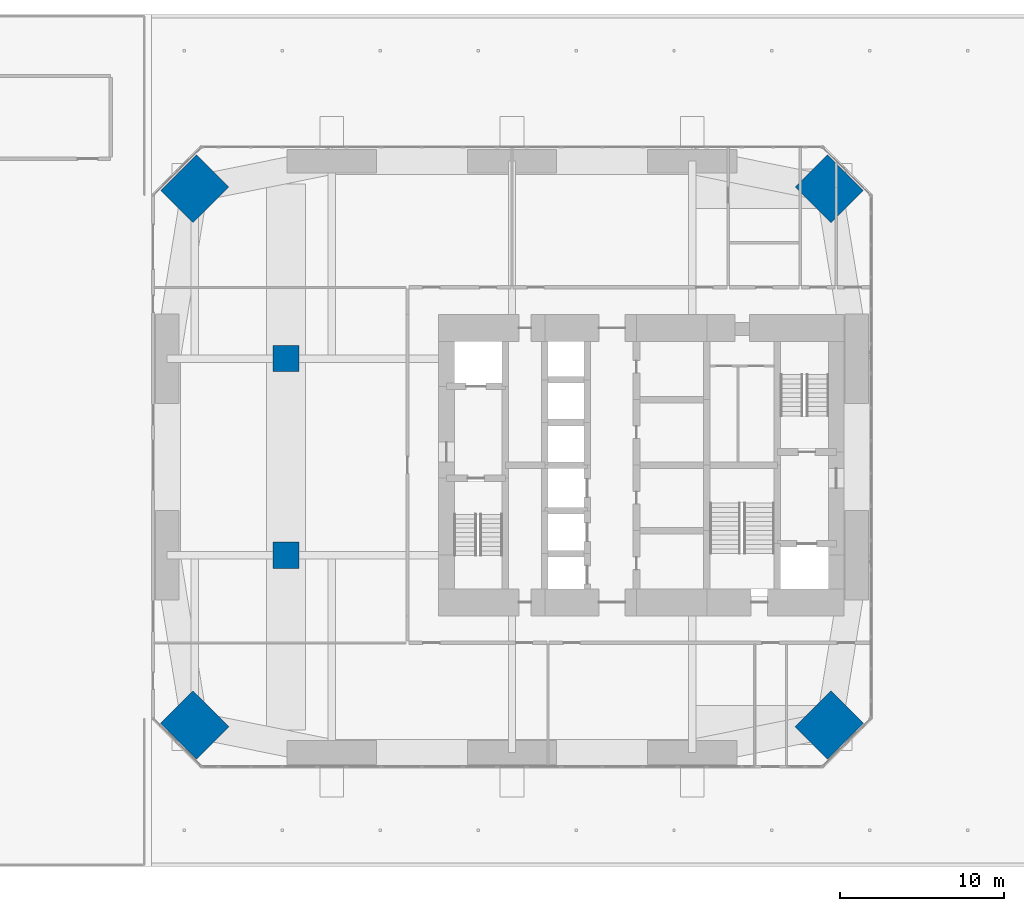
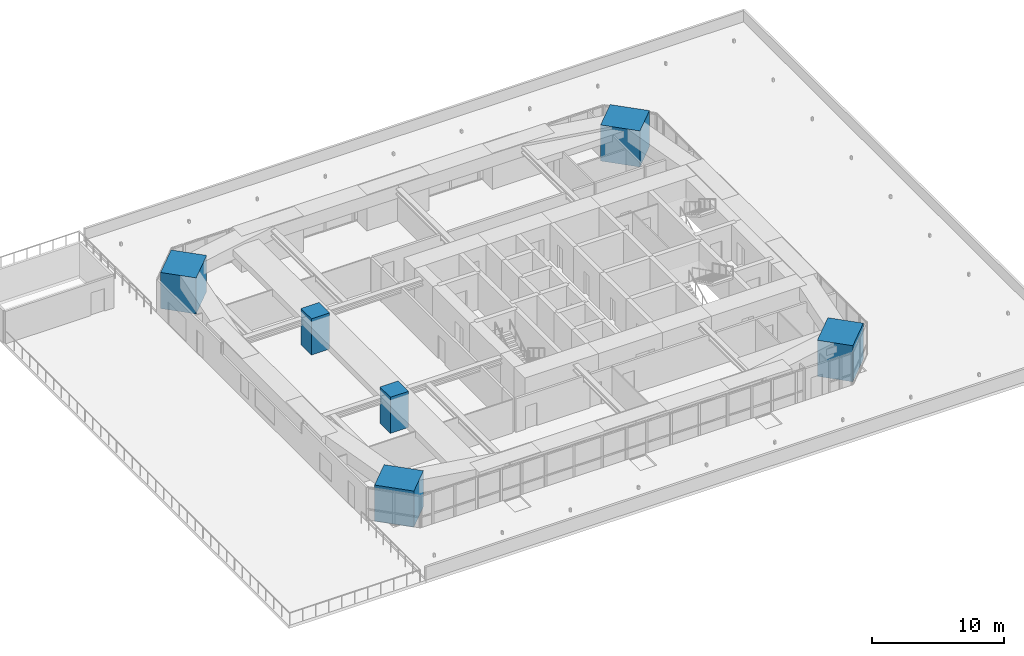
# One storey, part 1 of 20: 6 columns.
"""IFC4 building model written with IfcOpenShell, lengths in metres."""

from ifc_helpers import new_model, si_unit, direction, frame, origin, origin_2d, place, context, subcontext, project, spatial, rectangle, extrude, material, material_profile, profile_set, type_object, element, save


model = new_model("IFC4")

# Units and contexts
model_context = context("Model", 3, precision=1e-05, world=origin(), true_north=direction((0.0, 1.0)))
body_context = subcontext(model_context, "Body", "Model", "MODEL_VIEW")
ifc_project = project(units=[si_unit("LENGTHUNIT", "METRE"), si_unit("AREAUNIT", "SQUARE_METRE"), si_unit("VOLUMEUNIT", "CUBIC_METRE"), si_unit("PLANEANGLEUNIT", "RADIAN"), si_unit("MASSUNIT", "GRAM", prefix="KILO")], contexts=[model_context])

# Site, building, storey
site_placement = place(None, origin())
site = spatial("IfcSite", under=ifc_project, at=site_placement, CompositionType="ELEMENT")
building_placement = place(site_placement, origin())
building = spatial("IfcBuilding", under=site, at=building_placement, Name="Jalousie Tower", CompositionType="ELEMENT")
storey_placement = place(building_placement, frame((0.0, 0.0, 21.0)))
storey = spatial("IfcBuildingStorey", under=building, at=storey_placement, Name="L04", CompositionType="ELEMENT", Elevation=21.0)

# Columns
ifc_material_1 = material(Name="Concrete f'c 120 MPa", Category="concrete")
ifc_material_profile_1 = material_profile(ifc_material_1, rectangle(XDim=1.60009765625, YDim=1.60009765625, at=origin_2d()), Name="RC 1600x1600")
ifc_profile_set_1 = profile_set([ifc_material_profile_1], Name="Concrete f'c 120 MPa")
column_type_1 = type_object("IfcColumnType", Name="RC COLUMN 1600x1600", PredefinedType="COLUMN", material=ifc_profile_set_1)
for number, where, z_axis, x_axis, name in (
    (1, (10.199951171875, 13.0, 0.0), (0.0, 0.0, 1.0), (1.0, 0.0, 0.0), "Interior column IA1 L04"),
    (2, (10.199951171875, 25.0, 0.0), (0.0, 0.0, 1.0), (1.0, 0.0, 0.0), "Interior column IA2 L04"),
):
    element("IfcColumn", number, at=place(storey_placement, frame(where, z_axis=z_axis, x_axis=x_axis)), inside=storey, type_object=column_type_1, Name=name, PredefinedType="COLUMN", context=body_context, shape_type="SweptSolid", body=[
        extrude(rectangle(XDim=1.60009765625, YDim=1.60009765625, at=origin_2d()), origin(), (0.0, 0.0, 1.0), 3.35009765625),
    ])
ifc_material_2 = material(Name="Concrete f'c 120 MPa", Category="concrete")
ifc_material_profile_2 = material_profile(ifc_material_2, rectangle(XDim=2.800048828125, YDim=3.10009765625, at=origin_2d()), Name="RC 2800x3100")
ifc_profile_set_2 = profile_set([ifc_material_profile_2], Name="Concrete f'c 120 MPa")
column_type_2 = type_object("IfcColumnType", Name="RC CORNER COLUMN 2800x3100", PredefinedType="COLUMN", material=ifc_profile_set_2)
for number, where, z_axis, x_axis, name in (
    (3, (4.63134765625, 2.63134765625, 0.0), (0.0, 0.0, 1.0), (0.707106781187, 0.707106781187, 0.0), "Corner column 01 L04"),
    (4, (43.36865234375, 2.63134765625, 0.0), (0.0, 0.0, 1.0), (-0.707106781187, 0.707106781187, 0.0), "Corner column 05 L04"),
    (5, (43.36865234375, 35.36865234375, 0.0), (0.0, 0.0, 1.0), (-0.707106781187, -0.707106781187, 0.0), "Corner column 08 L04"),
    (6, (4.63134765625, 35.36865234375, 0.0), (0.0, 0.0, 1.0), (0.707106781187, -0.707106781187, 0.0), "Corner column 12 L04"),
):
    element("IfcColumn", number, at=place(storey_placement, frame(where, z_axis=z_axis, x_axis=x_axis)), inside=storey, type_object=column_type_2, Name=name, PredefinedType="COLUMN", context=body_context, shape_type="SweptSolid", body=[
        extrude(rectangle(XDim=2.800048828125, YDim=3.10009765625, at=origin_2d()), origin(), (0.0, 0.0, 1.0), 3.35009765625),
    ])

save(model, "model.ifc")
